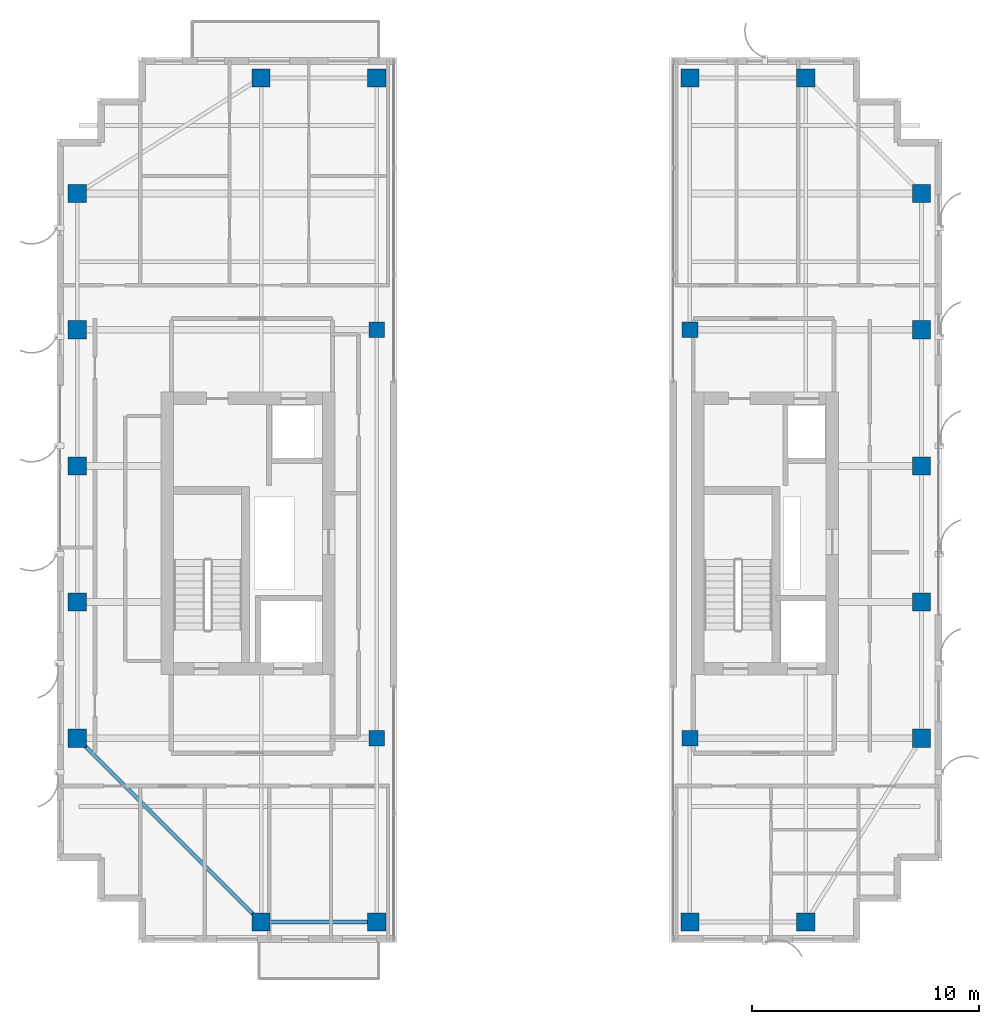
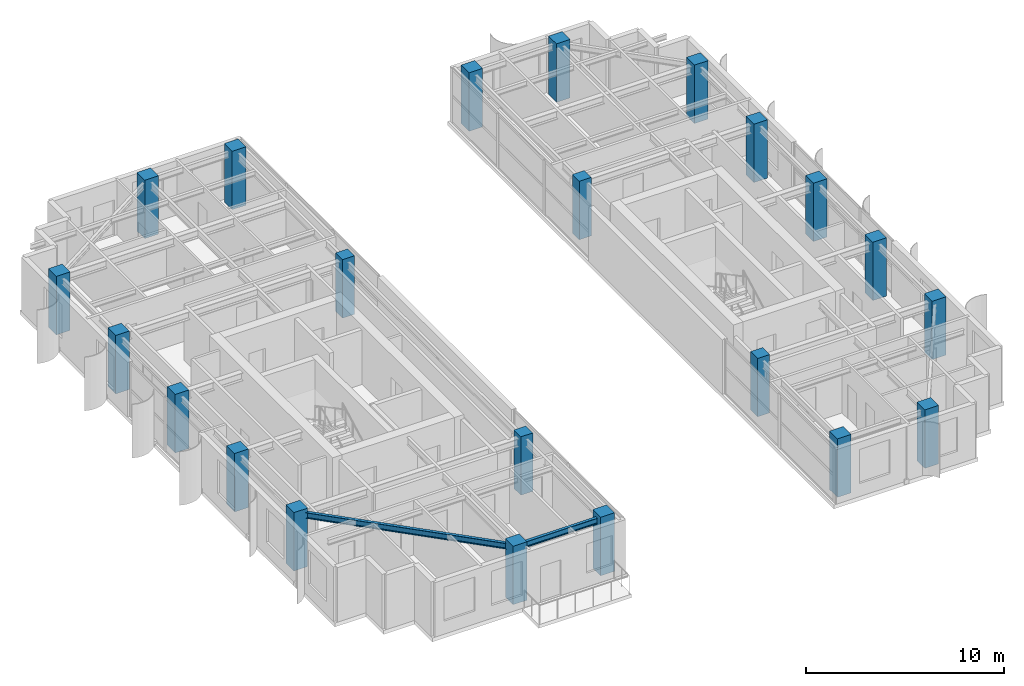
# One storey, part 1 of 23: 22 columns, 2 beams.
"""IFC4 building model written with IfcOpenShell, lengths in metres."""

from ifc_helpers import new_model, si_unit, direction, frame, origin, origin_2d, place, context, subcontext, project, spatial, rectangle, i_section, extrude, source, transform, mapped, material, material_profile, profile_set, type_object, element, save


model = new_model("IFC4")

# Units and contexts
model_context = context("Model", 3, precision=1e-05, world=origin(), true_north=direction((0.0, 1.0)))
body_context = subcontext(model_context, "Body", "Model", "MODEL_VIEW")
ifc_project = project(units=[si_unit("LENGTHUNIT", "METRE"), si_unit("AREAUNIT", "SQUARE_METRE"), si_unit("VOLUMEUNIT", "CUBIC_METRE"), si_unit("PLANEANGLEUNIT", "RADIAN"), si_unit("MASSUNIT", "GRAM", prefix="KILO")], contexts=[model_context])

# Site, building, storey
site_placement = place(None, origin())
site = spatial("IfcSite", under=ifc_project, at=site_placement, CompositionType="ELEMENT")
building_placement = place(site_placement, origin())
building = spatial("IfcBuilding", under=site, at=building_placement, Name="Khoralis Quay Care Tower", CompositionType="ELEMENT")
storey_placement = place(building_placement, frame((0.0, 0.0, 245.699951171875)))
storey = spatial("IfcBuildingStorey", under=building, at=storey_placement, Name="L64", CompositionType="ELEMENT", Elevation=245.699951171875)

# Columns
ifc_material_1 = material(Name="Concrete C50/60", Category="concrete")
ifc_material_profile_1 = material_profile(ifc_material_1, rectangle(XDim=0.800048828125, YDim=0.800048828125, at=origin_2d()), Name="Concrete C50/60")
ifc_profile_set_1 = profile_set([ifc_material_profile_1], Name="Concrete C50/60")
column_type_1 = type_object("IfcColumnType", Name="COL-C800", PredefinedType="COLUMN", material=ifc_profile_set_1)
shared_shape_1 = source(origin(), body_context, "Body", "SweptSolid", [
    extrude(rectangle(XDim=0.800048828125, YDim=0.800048828125, at=origin_2d()), origin(), (0.0, 0.0, 1.0), 3.60009765625),
])
for number, where, z_axis, x_axis, name in (
    (1, (12.0, 3.89990234375, 0.0), (0.0, 0.0, 1.0), (1.0, 0.0, 0.0), "COL-TWR-L64-01"),
    (2, (12.0, 41.10009765625, 0.0), (0.0, 0.0, 1.0), (1.0, 0.0, 0.0), "COL-TWR-L64-02"),
    (3, (17.10009765625, 3.89990234375, 0.0), (0.0, 0.0, 1.0), (1.0, 0.0, 0.0), "COL-TWR-L64-03"),
    (4, (17.10009765625, 41.10009765625, 0.0), (0.0, 0.0, 1.0), (1.0, 0.0, 0.0), "COL-TWR-L64-04"),
    (5, (30.89990234375, 3.89990234375, 0.0), (0.0, 0.0, 1.0), (1.0, 0.0, 0.0), "COL-TWR-L64-05"),
    (6, (30.89990234375, 41.10009765625, 0.0), (0.0, 0.0, 1.0), (1.0, 0.0, 0.0), "COL-TWR-L64-06"),
    (7, (36.0, 3.89990234375, 0.0), (0.0, 0.0, 1.0), (1.0, 0.0, 0.0), "COL-TWR-L64-07"),
    (8, (36.0, 41.10009765625, 0.0), (0.0, 0.0, 1.0), (1.0, 0.0, 0.0), "COL-TWR-L64-08"),
    (9, (3.89990234375, 12.0, 0.0), (0.0, 0.0, 1.0), (1.0, 0.0, 0.0), "COL-TWR-L64-09"),
    (10, (41.10009765625, 12.0, 0.0), (0.0, 0.0, 1.0), (1.0, 0.0, 0.0), "COL-TWR-L64-10"),
    (11, (3.89990234375, 18.0, 0.0), (0.0, 0.0, 1.0), (1.0, 0.0, 0.0), "COL-TWR-L64-11"),
    (12, (41.10009765625, 18.0, 0.0), (0.0, 0.0, 1.0), (1.0, 0.0, 0.0), "COL-TWR-L64-12"),
    (13, (3.89990234375, 24.0, 0.0), (0.0, 0.0, 1.0), (1.0, 0.0, 0.0), "COL-TWR-L64-13"),
    (14, (41.10009765625, 24.0, 0.0), (0.0, 0.0, 1.0), (1.0, 0.0, 0.0), "COL-TWR-L64-14"),
    (15, (3.89990234375, 30.0, 0.0), (0.0, 0.0, 1.0), (1.0, 0.0, 0.0), "COL-TWR-L64-15"),
    (16, (41.10009765625, 30.0, 0.0), (0.0, 0.0, 1.0), (1.0, 0.0, 0.0), "COL-TWR-L64-16"),
    (17, (3.89990234375, 36.0, 0.0), (0.0, 0.0, 1.0), (1.0, 0.0, 0.0), "COL-TWR-L64-17"),
    (18, (41.10009765625, 36.0, 0.0), (0.0, 0.0, 1.0), (1.0, 0.0, 0.0), "COL-TWR-L64-18"),
):
    element("IfcColumn", number, at=place(storey_placement, frame(where, z_axis=z_axis, x_axis=x_axis)), inside=storey, type_object=column_type_1, Name=name, PredefinedType="COLUMN", context=body_context, shape_type="MappedRepresentation", body=[
        mapped(shared_shape_1, transform((0.0, 0.0, 0.0), scale=1.0)),
    ])
ifc_material_profile_2 = material_profile(ifc_material_1, rectangle(XDim=0.699951171875, YDim=0.699951171875, at=origin_2d()), Name="Concrete C50/60")
ifc_profile_set_2 = profile_set([ifc_material_profile_2], Name="Concrete C50/60")
column_type_2 = type_object("IfcColumnType", Name="COL-C700", PredefinedType="COLUMN", material=ifc_profile_set_2)
shared_shape_2 = source(origin(), body_context, "Body", "SweptSolid", [
    extrude(rectangle(XDim=0.699951171875, YDim=0.699951171875, at=origin_2d()), origin(), (0.0, 0.0, 1.0), 3.60009765625),
])
for number, where, z_axis, x_axis, name in (
    (19, (17.10009765625, 12.0, 0.0), (0.0, 0.0, 1.0), (1.0, 0.0, 0.0), "COL-TWR-L64-19"),
    (20, (17.10009765625, 30.0, 0.0), (0.0, 0.0, 1.0), (1.0, 0.0, 0.0), "COL-TWR-L64-20"),
    (21, (30.89990234375, 12.0, 0.0), (0.0, 0.0, 1.0), (1.0, 0.0, 0.0), "COL-TWR-L64-21"),
    (22, (30.89990234375, 30.0, 0.0), (0.0, 0.0, 1.0), (1.0, 0.0, 0.0), "COL-TWR-L64-22"),
):
    element("IfcColumn", number, at=place(storey_placement, frame(where, z_axis=z_axis, x_axis=x_axis)), inside=storey, type_object=column_type_2, Name=name, PredefinedType="COLUMN", context=body_context, shape_type="MappedRepresentation", body=[
        mapped(shared_shape_2, transform((0.0, 0.0, 0.0), scale=1.0)),
    ])

# Beams
ifc_material_2 = material(Name="Steel S355", Category="steel")
ifc_material_profile_3 = material_profile(ifc_material_2, i_section(OverallWidth=0.169921875, OverallDepth=0.360107421875, WebThickness=0.008056640625, FlangeThickness=0.0126953125, FilletRadius=0.01806640625, at=origin_2d()), Name="Steel S355")
ifc_profile_set_3 = profile_set([ifc_material_profile_3], Name="Steel S355")
beam_type = type_object("IfcBeamType", Name="BM-IPE360", PredefinedType="SPANDREL", material=ifc_profile_set_3)
shared_shape_3 = source(origin(), body_context, "Body", "SweptSolid", [
    extrude(i_section(OverallWidth=0.169921875, OverallDepth=0.360107421875, WebThickness=0.008056640625, FlangeThickness=0.0126953125, FilletRadius=0.01806640625, at=origin_2d()), origin(), (0.0, 0.0, 1.0), 5.10009765625),
])
beam_1_placement = place(storey_placement, frame((12.0, 3.89990234375, 3.179931640625), z_axis=(1.0, 0.0, 0.0), x_axis=(0.0, 1.0, 0.0)))
element("IfcBeam", 23, at=beam_1_placement, inside=storey, type_object=beam_type, Name="BM-TSP-L64-01", PredefinedType="SPANDREL", context=body_context, shape_type="MappedRepresentation", body=[
    mapped(shared_shape_3, transform((0.0, 0.0, 0.0), scale=1.0)),
])
shared_shape_4 = source(origin(), body_context, "Body", "SweptSolid", [
    extrude(i_section(OverallWidth=0.169921875, OverallDepth=0.360107421875, WebThickness=0.008056640625, FlangeThickness=0.0126953125, FilletRadius=0.01806640625, at=origin_2d()), origin(), (0.0, 0.0, 1.0), 11.455322265625),
])
beam_2_placement = place(storey_placement, frame((12.0, 3.89990234375, 3.179931640625), z_axis=(-0.707106781187, 0.707106781187, 0.0), x_axis=(-0.707106781187, -0.707106781187, 0.0)))
element("IfcBeam", 24, at=beam_2_placement, inside=storey, type_object=beam_type, Name="BM-TCR-L64-13", PredefinedType="SPANDREL", context=body_context, shape_type="MappedRepresentation", body=[
    mapped(shared_shape_4, transform((0.0, 0.0, 0.0), scale=1.0)),
])

save(model, "model.ifc")
